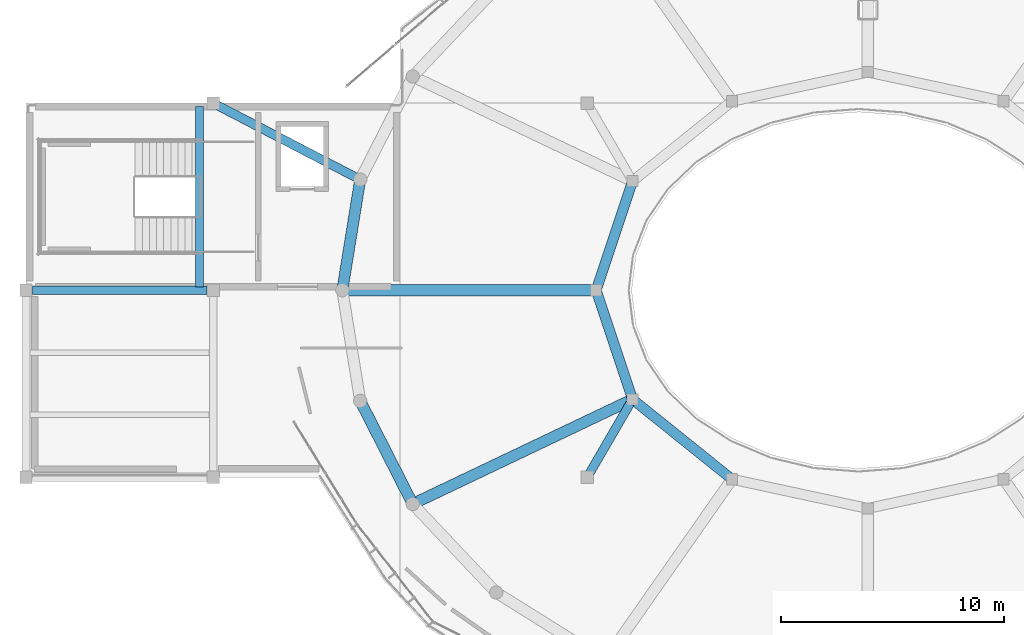
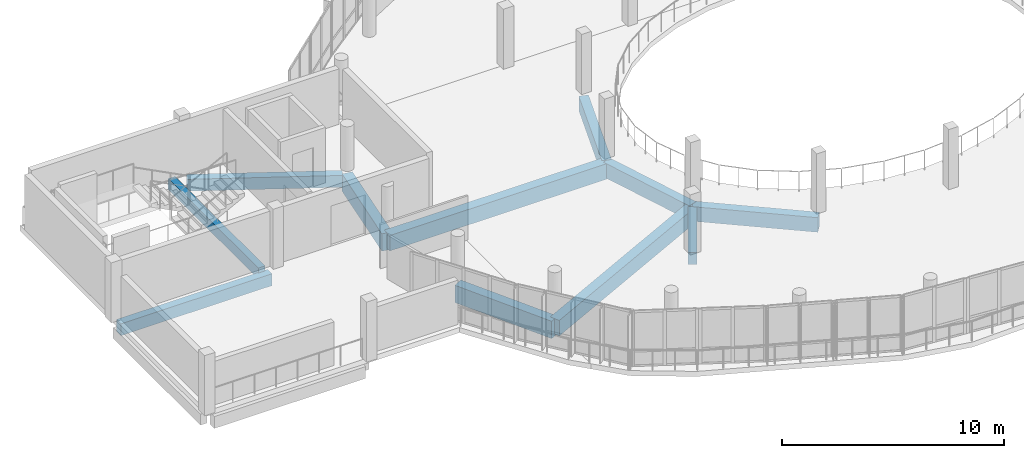
# One storey, part 12 of 43: 11 beams.
"""IFC4 building model written with IfcOpenShell, lengths in metres."""

from ifc_helpers import new_model, si_unit, derived_unit, direction, frame, origin, origin_2d, place, context, subcontext, project, spatial, rectangle, extrude, material, material_profile, profile_set, type_object, element, save


model = new_model("IFC4")

# Units and contexts
model_context = context("Model", 3, precision=1e-05, world=origin(), true_north=direction((0.0, 1.0)))
body_context = subcontext(model_context, "Body", "Model", "MODEL_VIEW")
ifc_project = project(units=[si_unit("LENGTHUNIT", "METRE"), si_unit("AREAUNIT", "SQUARE_METRE"), si_unit("VOLUMEUNIT", "CUBIC_METRE"), si_unit("PLANEANGLEUNIT", "RADIAN"), si_unit("MASSUNIT", "GRAM", prefix="KILO"), derived_unit("THERMALTRANSMITTANCEUNIT", [(si_unit("POWERUNIT", "WATT"), 1), (si_unit("LENGTHUNIT", "METRE"), -2), (si_unit("THERMODYNAMICTEMPERATUREUNIT", "KELVIN"), -1)])], contexts=[model_context])

# Site, building, storey
site_placement = place(None, origin())
site = spatial("IfcSite", under=ifc_project, at=site_placement, CompositionType="ELEMENT")
building_placement = place(site_placement, origin())
building = spatial("IfcBuilding", under=site, at=building_placement, Name="Elbkamm Science Centre", CompositionType="ELEMENT")
storey_placement = place(building_placement, frame((0.0, 0.0, 18.300048828125)))
storey = spatial("IfcBuildingStorey", under=building, at=storey_placement, Name="L04", CompositionType="ELEMENT", Elevation=18.300048828125)

# Beams
ifc_material = material(Name="Concrete C40/50", Category="concrete")
ifc_material_profile_1 = material_profile(ifc_material, rectangle(XDim=0.35009765625, YDim=0.60009765625, at=origin_2d()), Name="RC 350x600")
ifc_profile_set_1 = profile_set([ifc_material_profile_1], Name="Concrete C40/50")
beam_type_1 = type_object("IfcBeamType", Name="BM-RC-350x600", PredefinedType="BEAM", material=ifc_profile_set_1)
beam_1_placement = place(storey_placement, frame((32.97998046875, 67.35009765625, -0.300048828125), z_axis=(0.0, 1.0, 0.0), x_axis=(-1.0, 0.0, 0.0)))
element("IfcBeam", 1, at=beam_1_placement, inside=storey, type_object=beam_type_1, Name="L04 ST-C1 Landing Trimmer Beam", PredefinedType="BEAM", context=body_context, shape_type="SweptSolid", body=[
    extrude(rectangle(XDim=0.35009765625, YDim=0.60009765625, at=origin_2d()), origin(), (0.0, 0.0, 1.0), 8.099853515625),
])
ifc_material_profile_2 = material_profile(ifc_material, rectangle(XDim=0.39990234375, YDim=0.64990234375, at=origin_2d()), Name="RC 400x650")
ifc_profile_set_2 = profile_set([ifc_material_profile_2], Name="Concrete C40/50")
beam_type_2 = type_object("IfcBeamType", Name="BM-RC-400x650", PredefinedType="BEAM", material=ifc_profile_set_2)
beam_2_placement = place(storey_placement, frame((25.47509765625, 67.199951171875, -0.60498046875), z_axis=(1.0, 0.0, 0.0), x_axis=(0.0, 1.0, 0.0)))
element("IfcBeam", 2, at=beam_2_placement, inside=storey, type_object=beam_type_2, Name="L04 Primary X-Girder 031", PredefinedType="BEAM", context=body_context, shape_type="SweptSolid", body=[
    extrude(rectangle(XDim=0.39990234375, YDim=0.64990234375, at=origin_2d()), origin(), (0.0, 0.0, 1.0), 7.849853515625),
])
beam_3_placement = place(storey_placement, frame((33.795166015625, 75.49853515625, -0.60498046875), z_axis=(0.887395416163, -0.461009083828, 0.0), x_axis=(0.461009083828, 0.887395416163, 0.0)))
element("IfcBeam", 3, at=beam_3_placement, inside=storey, type_object=beam_type_2, Name="L04 Perimeter Ring Tie Girder 062", PredefinedType="BEAM", context=body_context, shape_type="SweptSolid", body=[
    extrude(rectangle(XDim=0.39990234375, YDim=0.64990234375, at=origin_2d()), origin(), (0.0, 0.0, 1.0), 7.002197265625),
])
beam_4_placement = place(storey_placement, frame((50.510498046875, 58.990234375, -0.60498046875), z_axis=(0.502465212806, 0.864597426506, 0.0), x_axis=(-0.864597426506, 0.502465212806, 0.0)))
element("IfcBeam", 4, at=beam_4_placement, inside=storey, type_object=beam_type_2, Name="L04 Perimeter Ring Tie Girder 063", PredefinedType="BEAM", context=body_context, shape_type="SweptSolid", body=[
    extrude(rectangle(XDim=0.39990234375, YDim=0.64990234375, at=origin_2d()), origin(), (0.0, 0.0, 1.0), 3.608154296875),
])
ifc_material_profile_3 = material_profile(ifc_material, rectangle(XDim=0.449951171875, YDim=0.800048828125, at=origin_2d()), Name="RC 450x800")
ifc_profile_set_3 = profile_set([ifc_material_profile_3], Name="Concrete C40/50")
beam_type_3 = type_object("IfcBeamType", Name="BM-RC-450x800", PredefinedType="BEAM", material=ifc_profile_set_3)
beam_5_placement = place(storey_placement, frame((52.43408203125, 72.10009765625, -0.679931640625), z_axis=(-0.31634119852, -0.948645479681, 0.0), x_axis=(0.948645479681, -0.31634119852, 0.0)))
element("IfcBeam", 5, at=beam_5_placement, inside=storey, type_object=beam_type_3, Name="L04 Atrium Ring Girder 06", PredefinedType="BEAM", context=body_context, shape_type="SweptSolid", body=[
    extrude(rectangle(XDim=0.449951171875, YDim=0.800048828125, at=origin_2d()), origin(), (0.0, 0.0, 1.0), 5.16552734375),
])
beam_6_placement = place(storey_placement, frame((50.800048828125, 67.199951171875, -0.679931640625), z_axis=(0.316355382987, -0.948640749523, 0.0), x_axis=(0.948640749523, 0.316355382987, 0.0)))
element("IfcBeam", 6, at=beam_6_placement, inside=storey, type_object=beam_type_3, Name="L04 Atrium Ring Girder 07", PredefinedType="BEAM", context=body_context, shape_type="SweptSolid", body=[
    extrude(rectangle(XDim=0.449951171875, YDim=0.800048828125, at=origin_2d()), origin(), (0.0, 0.0, 1.0), 5.165283203125),
])
beam_7_placement = place(storey_placement, frame((52.43408203125, 62.300048828125, -0.679931640625), z_axis=(0.779632299843, -0.626237556396, 0.0), x_axis=(0.626237556396, 0.779632299843, 0.0)))
element("IfcBeam", 7, at=beam_7_placement, inside=storey, type_object=beam_type_3, Name="L04 Atrium Ring Girder 08", PredefinedType="BEAM", context=body_context, shape_type="SweptSolid", body=[
    extrude(rectangle(XDim=0.449951171875, YDim=0.800048828125, at=origin_2d()), origin(), (0.0, 0.0, 1.0), 5.72802734375),
])
ifc_material_profile_4 = material_profile(ifc_material, rectangle(XDim=0.5, YDim=0.85009765625, at=origin_2d()), Name="RC 500x850")
ifc_profile_set_4 = profile_set([ifc_material_profile_4], Name="Concrete C40/50")
beam_type_4 = type_object("IfcBeamType", Name="BM-RC-500x850", PredefinedType="BEAM", material=ifc_profile_set_4)
beam_8_placement = place(storey_placement, frame((50.800048828125, 67.199951171875, -0.705078125), z_axis=(-1.0, 0.0, 0.0), x_axis=(0.0, -1.0, 0.0)))
element("IfcBeam", 8, at=beam_8_placement, inside=storey, type_object=beam_type_4, Name="L04 Elliptical Radial Girder 07", PredefinedType="BEAM", context=body_context, shape_type="SweptSolid", body=[
    extrude(rectangle(XDim=0.5, YDim=0.85009765625, at=origin_2d()), origin(), (0.0, 0.0, 1.0), 11.400146484375),
])
beam_9_placement = place(storey_placement, frame((52.43408203125, 62.300048828125, -0.705078125), z_axis=(-0.902897249077, -0.429856438371, 0.0), x_axis=(0.429856438371, -0.902897249077, 0.0)))
element("IfcBeam", 9, at=beam_9_placement, inside=storey, type_object=beam_type_4, Name="L04 Elliptical Radial Girder 08", PredefinedType="BEAM", context=body_context, shape_type="SweptSolid", body=[
    extrude(rectangle(XDim=0.5, YDim=0.85009765625, at=origin_2d()), origin(), (0.0, 0.0, 1.0), 10.933837890625),
])
ifc_material_profile_5 = material_profile(ifc_material, rectangle(XDim=0.5, YDim=0.949951171875, at=origin_2d()), Name="RC 500x950")
ifc_profile_set_5 = profile_set([ifc_material_profile_5], Name="Concrete C40/50")
beam_type_5 = type_object("IfcBeamType", Name="BM-RC-500x950", PredefinedType="BEAM", material=ifc_profile_set_5)
beam_10_placement = place(storey_placement, frame((40.2041015625, 72.1689453125, -0.755126953125), z_axis=(-0.15976460627, -0.987155140078, 0.0), x_axis=(0.987155140078, -0.15976460627, 0.0)))
element("IfcBeam", 10, at=beam_10_placement, inside=storey, type_object=beam_type_5, Name="L04 Elliptical Shell Perimeter Ring Beam 12", PredefinedType="SPANDREL", context=body_context, shape_type="SweptSolid", body=[
    extrude(rectangle(XDim=0.5, YDim=0.949951171875, at=origin_2d()), origin(), (0.0, 0.0, 1.0), 5.03369140625),
])
beam_11_placement = place(storey_placement, frame((40.2041015625, 62.23095703125, -0.755126953125), z_axis=(0.45374138036, -0.891133412991, 0.0), x_axis=(0.891133412991, 0.45374138036, 0.0)))
element("IfcBeam", 11, at=beam_11_placement, inside=storey, type_object=beam_type_5, Name="L04 Elliptical Shell Perimeter Ring Beam 14", PredefinedType="SPANDREL", context=body_context, shape_type="SweptSolid", body=[
    extrude(rectangle(XDim=0.5, YDim=0.949951171875, at=origin_2d()), origin(), (0.0, 0.0, 1.0), 5.196533203125),
])

save(model, "model.ifc")
